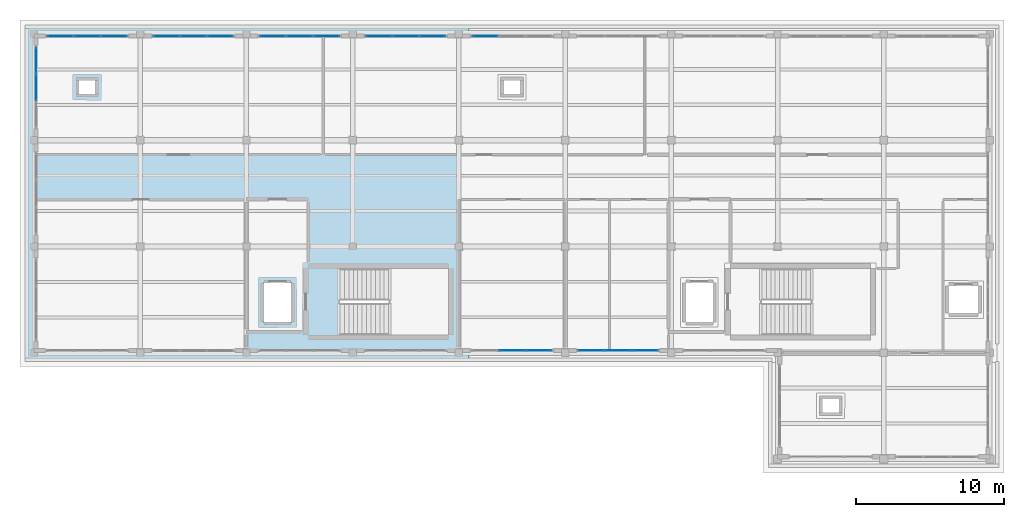
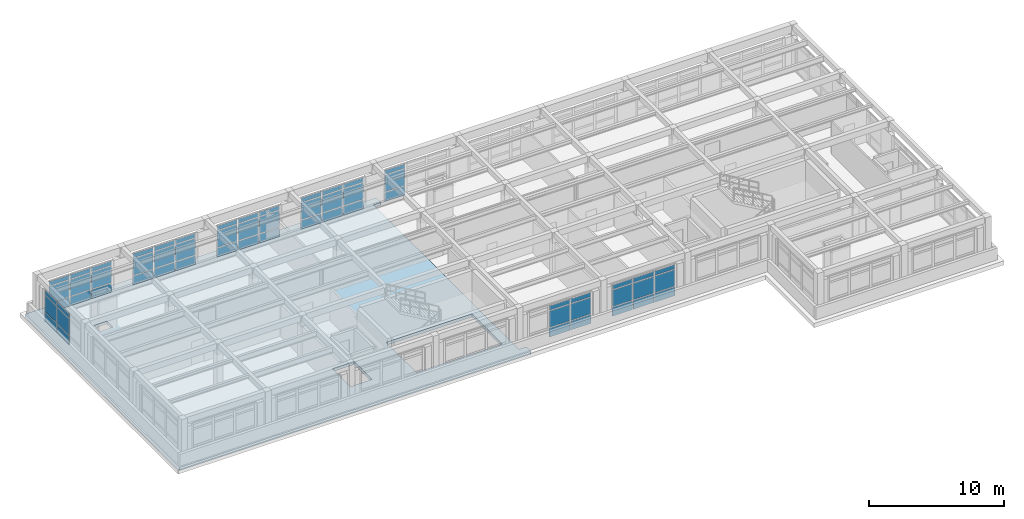
# One storey, part 12 of 20: 60 plates, 1 slab, 8 elements without a shape of their own.
"""IFC4 building model written with IfcOpenShell, lengths in metres."""

from ifc_helpers import new_model, si_unit, direction, frame, origin, origin_2d, place, context, subcontext, project, spatial, polyline, rectangle, outline, extrude, material, layer, layer_set, type_object, element, aggregate, save


model = new_model("IFC4")

# Units and contexts
model_context = context("Model", 3, precision=1e-05, world=origin(), true_north=direction((0.0, 1.0)))
body_context = subcontext(model_context, "Body", "Model", "MODEL_VIEW")
ifc_project = project(units=[si_unit("LENGTHUNIT", "METRE"), si_unit("AREAUNIT", "SQUARE_METRE"), si_unit("VOLUMEUNIT", "CUBIC_METRE"), si_unit("PLANEANGLEUNIT", "RADIAN"), si_unit("MASSUNIT", "GRAM", prefix="KILO")], contexts=[model_context])

# Site, building, storey
site_placement = place(None, origin())
site = spatial("IfcSite", under=ifc_project, at=site_placement, CompositionType="ELEMENT")
building_placement = place(site_placement, origin())
building = spatial("IfcBuilding", under=site, at=building_placement, Name="Solenvale Faculty of Natural Sciences", CompositionType="ELEMENT")
storey_placement = place(building_placement, frame((0.0, 0.0, 35.39990234375)))
storey = spatial("IfcBuildingStorey", under=building, at=storey_placement, Name="L08", CompositionType="ELEMENT", Elevation=35.39990234375)

# Curtain wall, plates
ifc_material_1 = material(Name="Anodised bronze aluminium", Category="aluminium")
ifc_layer_1 = layer(ifc_material_1, 0.179931640625)
ifc_layer_set_1 = layer_set([ifc_layer_1], Name="Anodised bronze aluminium")
curtain_wall_type = type_object("IfcCurtainWallType", Name="CW-TWR-MOD", PredefinedType="USERDEFINED", material=ifc_layer_set_1)
curtain_wall_1_placement = place(storey_placement, origin())
curtain_wall_1 = element("IfcCurtainWall", 1, at=curtain_wall_1_placement, inside=storey, type_object=curtain_wall_type, Name="L08 Curtain Wall CW-L08-P1-E2-B5", ObjectType="UNITISED CURTAIN WALL", PredefinedType="USERDEFINED")
ifc_material_2 = material(Name="North-light skylight glass", Category="glass")
ifc_layer_2 = layer(ifc_material_2, 0.028076171875)
ifc_layer_set_2 = layer_set([ifc_layer_2], Name="North-light skylight glass")
plate_type_1 = type_object("IfcPlateType", Name="CWP-PNL-28", PredefinedType="CURTAIN_PANEL", material=ifc_layer_set_2)
plate_1_placement = place(storey_placement, frame((116.9853515625, 115.0576171875, 0.074951171875), z_axis=(0.0, 0.0, 1.0), x_axis=(-1.0, 0.0, 0.0)))
plate_1 = element("IfcPlate", 2, at=plate_1_placement, type_object=plate_type_1, Name="CW-04 panel 3.1", PredefinedType="CURTAIN_PANEL", context=body_context, shape_type="SweptSolid", body=[
    extrude(rectangle(XDim=1.720947265625, YDim=0.028076171875, at=origin_2d()), origin(), (0.0, 0.0, 1.0), 0.78759765625),
])
plate_2_placement = place(storey_placement, frame((116.9853515625, 115.0576171875, 0.9375), z_axis=(0.0, 0.0, 1.0), x_axis=(-1.0, 0.0, 0.0)))
plate_2 = element("IfcPlate", 3, at=plate_2_placement, type_object=plate_type_1, Name="CW-04 panel 3.2", PredefinedType="CURTAIN_PANEL", context=body_context, shape_type="SweptSolid", body=[
    extrude(rectangle(XDim=1.720947265625, YDim=0.028076171875, at=origin_2d()), origin(), (0.0, 0.0, 1.0), 1.485107421875),
])
plate_3_placement = place(storey_placement, frame((116.9853515625, 115.0576171875, 2.49755859375), z_axis=(0.0, 0.0, 1.0), x_axis=(-1.0, 0.0, 0.0)))
plate_3 = element("IfcPlate", 4, at=plate_3_placement, type_object=plate_type_1, Name="CW-04 panel 3.3", PredefinedType="CURTAIN_PANEL", context=body_context, shape_type="SweptSolid", body=[
    extrude(rectangle(XDim=1.720947265625, YDim=0.028076171875, at=origin_2d()), origin(), (0.0, 0.0, 1.0), 0.387451171875),
])
aggregate(curtain_wall_1, [plate_1, plate_2, plate_3])

curtain_wall_2_placement = place(storey_placement, origin())
curtain_wall_2 = element("IfcCurtainWall", 5, at=curtain_wall_2_placement, inside=storey, type_object=curtain_wall_type, Name="L08 Curtain Wall CW-L08-P1-E2-B6", ObjectType="UNITISED CURTAIN WALL", PredefinedType="USERDEFINED")
ifc_material_3 = material(Name="Triple low-E insulated glass", Category="glass")
ifc_layer_3 = layer(ifc_material_3, 0.031982421875)
ifc_layer_set_3 = layer_set([ifc_layer_3], Name="Triple low-E insulated glass")
plate_type_2 = type_object("IfcPlateType", Name="CWP-PNL-32", PredefinedType="CURTAIN_PANEL", material=ifc_layer_set_3)
plate_4_placement = place(storey_placement, frame((113.41455078125, 115.0576171875, 0.074951171875), z_axis=(0.0, 0.0, 1.0), x_axis=(-1.0, 0.0, 0.0)))
plate_4 = element("IfcPlate", 6, at=plate_4_placement, type_object=plate_type_2, Name="CW-04 panel 1.1", PredefinedType="CURTAIN_PANEL", context=body_context, shape_type="SweptSolid", body=[
    extrude(rectangle(XDim=1.720947265625, YDim=0.031982421875, at=origin_2d()), origin(), (0.0, 0.0, 1.0), 0.78759765625),
])
plate_5_placement = place(storey_placement, frame((113.41455078125, 115.0576171875, 0.9375), z_axis=(0.0, 0.0, 1.0), x_axis=(-1.0, 0.0, 0.0)))
plate_5 = element("IfcPlate", 7, at=plate_5_placement, type_object=plate_type_2, Name="CW-04 panel 1.2", PredefinedType="CURTAIN_PANEL", context=body_context, shape_type="SweptSolid", body=[
    extrude(rectangle(XDim=1.720947265625, YDim=0.031982421875, at=origin_2d()), origin(), (0.0, 0.0, 1.0), 1.485107421875),
])
plate_6_placement = place(storey_placement, frame((113.41455078125, 115.0576171875, 2.49755859375), z_axis=(0.0, 0.0, 1.0), x_axis=(-1.0, 0.0, 0.0)))
plate_6 = element("IfcPlate", 8, at=plate_6_placement, type_object=plate_type_2, Name="CW-04 panel 1.3", PredefinedType="CURTAIN_PANEL", context=body_context, shape_type="SweptSolid", body=[
    extrude(rectangle(XDim=1.720947265625, YDim=0.031982421875, at=origin_2d()), origin(), (0.0, 0.0, 1.0), 0.387451171875),
])
plate_7_placement = place(storey_placement, frame((111.60009765625, 115.0576171875, 0.074951171875), z_axis=(0.0, 0.0, 1.0), x_axis=(-1.0, 0.0, 0.0)))
plate_7 = element("IfcPlate", 9, at=plate_7_placement, type_object=plate_type_2, Name="CW-04 panel 2.1", PredefinedType="CURTAIN_PANEL", context=body_context, shape_type="SweptSolid", body=[
    extrude(rectangle(XDim=1.75830078125, YDim=0.031982421875, at=origin_2d()), origin(), (0.0, 0.0, 1.0), 0.78759765625),
])
plate_8_placement = place(storey_placement, frame((111.60009765625, 115.0576171875, 0.9375), z_axis=(0.0, 0.0, 1.0), x_axis=(-1.0, 0.0, 0.0)))
plate_8 = element("IfcPlate", 10, at=plate_8_placement, type_object=plate_type_2, Name="CW-04 panel 2.2", PredefinedType="CURTAIN_PANEL", context=body_context, shape_type="SweptSolid", body=[
    extrude(rectangle(XDim=1.75830078125, YDim=0.031982421875, at=origin_2d()), origin(), (0.0, 0.0, 1.0), 1.485107421875),
])
plate_9_placement = place(storey_placement, frame((111.60009765625, 115.0576171875, 2.49755859375), z_axis=(0.0, 0.0, 1.0), x_axis=(-1.0, 0.0, 0.0)))
plate_9 = element("IfcPlate", 11, at=plate_9_placement, type_object=plate_type_2, Name="CW-04 panel 2.3", PredefinedType="CURTAIN_PANEL", context=body_context, shape_type="SweptSolid", body=[
    extrude(rectangle(XDim=1.75830078125, YDim=0.031982421875, at=origin_2d()), origin(), (0.0, 0.0, 1.0), 0.387451171875),
])
plate_10_placement = place(storey_placement, frame((109.785400390625, 115.0576171875, 0.074951171875), z_axis=(0.0, 0.0, 1.0), x_axis=(-1.0, 0.0, 0.0)))
plate_10 = element("IfcPlate", 12, at=plate_10_placement, type_object=plate_type_2, Name="CW-04 panel 3.1", PredefinedType="CURTAIN_PANEL", context=body_context, shape_type="SweptSolid", body=[
    extrude(rectangle(XDim=1.720947265625, YDim=0.031982421875, at=origin_2d()), origin(), (0.0, 0.0, 1.0), 0.78759765625),
])
plate_11_placement = place(storey_placement, frame((109.785400390625, 115.0576171875, 0.9375), z_axis=(0.0, 0.0, 1.0), x_axis=(-1.0, 0.0, 0.0)))
plate_11 = element("IfcPlate", 13, at=plate_11_placement, type_object=plate_type_2, Name="CW-04 panel 3.2", PredefinedType="CURTAIN_PANEL", context=body_context, shape_type="SweptSolid", body=[
    extrude(rectangle(XDim=1.720947265625, YDim=0.031982421875, at=origin_2d()), origin(), (0.0, 0.0, 1.0), 1.485107421875),
])
plate_12_placement = place(storey_placement, frame((109.785400390625, 115.0576171875, 2.49755859375), z_axis=(0.0, 0.0, 1.0), x_axis=(-1.0, 0.0, 0.0)))
plate_12 = element("IfcPlate", 14, at=plate_12_placement, type_object=plate_type_2, Name="CW-04 panel 3.3", PredefinedType="CURTAIN_PANEL", context=body_context, shape_type="SweptSolid", body=[
    extrude(rectangle(XDim=1.720947265625, YDim=0.031982421875, at=origin_2d()), origin(), (0.0, 0.0, 1.0), 0.387451171875),
])
aggregate(curtain_wall_2, [plate_4, plate_5, plate_6, plate_7, plate_8, plate_9, plate_10, plate_11, plate_12])

curtain_wall_3_placement = place(storey_placement, origin())
curtain_wall_3 = element("IfcCurtainWall", 15, at=curtain_wall_3_placement, inside=storey, type_object=curtain_wall_type, Name="L08 Curtain Wall CW-L08-P1-E2-B7", ObjectType="UNITISED CURTAIN WALL", PredefinedType="USERDEFINED")
ifc_layer_4 = layer(ifc_material_3, 0.035888671875)
ifc_layer_set_4 = layer_set([ifc_layer_4], Name="Triple low-E insulated glass")
plate_type_3 = type_object("IfcPlateType", Name="CWP-PNL-36", PredefinedType="CURTAIN_PANEL", material=ifc_layer_set_4)
plate_13_placement = place(storey_placement, frame((106.214599609375, 115.0576171875, 0.074951171875), z_axis=(0.0, 0.0, 1.0), x_axis=(-1.0, 0.0, 0.0)))
plate_13 = element("IfcPlate", 16, at=plate_13_placement, type_object=plate_type_3, Name="CW-04 panel 1.1", PredefinedType="CURTAIN_PANEL", context=body_context, shape_type="SweptSolid", body=[
    extrude(rectangle(XDim=1.720947265625, YDim=0.035888671875, at=origin_2d()), origin(), (0.0, 0.0, 1.0), 0.78759765625),
])
plate_14_placement = place(storey_placement, frame((106.214599609375, 115.0576171875, 0.9375), z_axis=(0.0, 0.0, 1.0), x_axis=(-1.0, 0.0, 0.0)))
plate_14 = element("IfcPlate", 17, at=plate_14_placement, type_object=plate_type_3, Name="CW-04 panel 1.2", PredefinedType="CURTAIN_PANEL", context=body_context, shape_type="SweptSolid", body=[
    extrude(rectangle(XDim=1.720947265625, YDim=0.035888671875, at=origin_2d()), origin(), (0.0, 0.0, 1.0), 1.485107421875),
])
plate_15_placement = place(storey_placement, frame((106.214599609375, 115.0576171875, 2.49755859375), z_axis=(0.0, 0.0, 1.0), x_axis=(-1.0, 0.0, 0.0)))
plate_15 = element("IfcPlate", 18, at=plate_15_placement, type_object=plate_type_3, Name="CW-04 panel 1.3", PredefinedType="CURTAIN_PANEL", context=body_context, shape_type="SweptSolid", body=[
    extrude(rectangle(XDim=1.720947265625, YDim=0.035888671875, at=origin_2d()), origin(), (0.0, 0.0, 1.0), 0.387451171875),
])
plate_16_placement = place(storey_placement, frame((104.39990234375, 115.0576171875, 0.074951171875), z_axis=(0.0, 0.0, 1.0), x_axis=(-1.0, 0.0, 0.0)))
plate_16 = element("IfcPlate", 19, at=plate_16_placement, type_object=plate_type_3, Name="CW-04 panel 2.1", PredefinedType="CURTAIN_PANEL", context=body_context, shape_type="SweptSolid", body=[
    extrude(rectangle(XDim=1.75830078125, YDim=0.035888671875, at=origin_2d()), origin(), (0.0, 0.0, 1.0), 0.78759765625),
])
plate_17_placement = place(storey_placement, frame((104.39990234375, 115.0576171875, 0.9375), z_axis=(0.0, 0.0, 1.0), x_axis=(-1.0, 0.0, 0.0)))
plate_17 = element("IfcPlate", 20, at=plate_17_placement, type_object=plate_type_3, Name="CW-04 panel 2.2", PredefinedType="CURTAIN_PANEL", context=body_context, shape_type="SweptSolid", body=[
    extrude(rectangle(XDim=1.75830078125, YDim=0.035888671875, at=origin_2d()), origin(), (0.0, 0.0, 1.0), 1.485107421875),
])
plate_18_placement = place(storey_placement, frame((104.39990234375, 115.0576171875, 2.49755859375), z_axis=(0.0, 0.0, 1.0), x_axis=(-1.0, 0.0, 0.0)))
plate_18 = element("IfcPlate", 21, at=plate_18_placement, type_object=plate_type_3, Name="CW-04 panel 2.3", PredefinedType="CURTAIN_PANEL", context=body_context, shape_type="SweptSolid", body=[
    extrude(rectangle(XDim=1.75830078125, YDim=0.035888671875, at=origin_2d()), origin(), (0.0, 0.0, 1.0), 0.387451171875),
])
plate_19_placement = place(storey_placement, frame((102.58544921875, 115.0576171875, 0.074951171875), z_axis=(0.0, 0.0, 1.0), x_axis=(-1.0, 0.0, 0.0)))
plate_19 = element("IfcPlate", 22, at=plate_19_placement, type_object=plate_type_3, Name="CW-04 panel 3.1", PredefinedType="CURTAIN_PANEL", context=body_context, shape_type="SweptSolid", body=[
    extrude(rectangle(XDim=1.720947265625, YDim=0.035888671875, at=origin_2d()), origin(), (0.0, 0.0, 1.0), 0.78759765625),
])
plate_20_placement = place(storey_placement, frame((102.58544921875, 115.0576171875, 0.9375), z_axis=(0.0, 0.0, 1.0), x_axis=(-1.0, 0.0, 0.0)))
plate_20 = element("IfcPlate", 23, at=plate_20_placement, type_object=plate_type_3, Name="CW-04 panel 3.2", PredefinedType="CURTAIN_PANEL", context=body_context, shape_type="SweptSolid", body=[
    extrude(rectangle(XDim=1.720947265625, YDim=0.035888671875, at=origin_2d()), origin(), (0.0, 0.0, 1.0), 1.485107421875),
])
plate_21_placement = place(storey_placement, frame((102.58544921875, 115.0576171875, 2.49755859375), z_axis=(0.0, 0.0, 1.0), x_axis=(-1.0, 0.0, 0.0)))
plate_21 = element("IfcPlate", 24, at=plate_21_placement, type_object=plate_type_3, Name="CW-04 panel 3.3", PredefinedType="CURTAIN_PANEL", context=body_context, shape_type="SweptSolid", body=[
    extrude(rectangle(XDim=1.720947265625, YDim=0.035888671875, at=origin_2d()), origin(), (0.0, 0.0, 1.0), 0.387451171875),
])
aggregate(curtain_wall_3, [plate_13, plate_14, plate_15, plate_16, plate_17, plate_18, plate_19, plate_20, plate_21])

curtain_wall_4_placement = place(storey_placement, origin())
curtain_wall_4 = element("IfcCurtainWall", 25, at=curtain_wall_4_placement, inside=storey, type_object=curtain_wall_type, Name="L08 Curtain Wall CW-L08-P1-E4-B5", ObjectType="UNITISED CURTAIN WALL", PredefinedType="USERDEFINED")
plate_22_placement = place(storey_placement, frame((118.800048828125, 93.742431640625, 0.074951171875), z_axis=(0.0, 0.0, 1.0), x_axis=(1.0, 0.0, 0.0)))
plate_22 = element("IfcPlate", 26, at=plate_22_placement, type_object=plate_type_3, Name="CW-04 panel 2.1", PredefinedType="CURTAIN_PANEL", context=body_context, shape_type="SweptSolid", body=[
    extrude(rectangle(XDim=1.75830078125, YDim=0.035888671875, at=origin_2d()), origin(), (0.0, 0.0, 1.0), 0.78759765625),
])
plate_23_placement = place(storey_placement, frame((118.800048828125, 93.742431640625, 0.9375), z_axis=(0.0, 0.0, 1.0), x_axis=(1.0, 0.0, 0.0)))
plate_23 = element("IfcPlate", 27, at=plate_23_placement, type_object=plate_type_3, Name="CW-04 panel 2.2", PredefinedType="CURTAIN_PANEL", context=body_context, shape_type="SweptSolid", body=[
    extrude(rectangle(XDim=1.75830078125, YDim=0.035888671875, at=origin_2d()), origin(), (0.0, 0.0, 1.0), 1.485107421875),
])
plate_24_placement = place(storey_placement, frame((118.800048828125, 93.742431640625, 2.49755859375), z_axis=(0.0, 0.0, 1.0), x_axis=(1.0, 0.0, 0.0)))
plate_24 = element("IfcPlate", 28, at=plate_24_placement, type_object=plate_type_3, Name="CW-04 panel 2.3", PredefinedType="CURTAIN_PANEL", context=body_context, shape_type="SweptSolid", body=[
    extrude(rectangle(XDim=1.75830078125, YDim=0.035888671875, at=origin_2d()), origin(), (0.0, 0.0, 1.0), 0.387451171875),
])
plate_25_placement = place(storey_placement, frame((120.614501953125, 93.742431640625, 0.074951171875), z_axis=(0.0, 0.0, 1.0), x_axis=(1.0, 0.0, 0.0)))
plate_25 = element("IfcPlate", 29, at=plate_25_placement, type_object=plate_type_3, Name="CW-04 panel 3.1", PredefinedType="CURTAIN_PANEL", context=body_context, shape_type="SweptSolid", body=[
    extrude(rectangle(XDim=1.720947265625, YDim=0.035888671875, at=origin_2d()), origin(), (0.0, 0.0, 1.0), 0.78759765625),
])
plate_26_placement = place(storey_placement, frame((120.614501953125, 93.742431640625, 0.9375), z_axis=(0.0, 0.0, 1.0), x_axis=(1.0, 0.0, 0.0)))
plate_26 = element("IfcPlate", 30, at=plate_26_placement, type_object=plate_type_3, Name="CW-04 panel 3.2", PredefinedType="CURTAIN_PANEL", context=body_context, shape_type="SweptSolid", body=[
    extrude(rectangle(XDim=1.720947265625, YDim=0.035888671875, at=origin_2d()), origin(), (0.0, 0.0, 1.0), 1.485107421875),
])
plate_27_placement = place(storey_placement, frame((120.614501953125, 93.742431640625, 2.49755859375), z_axis=(0.0, 0.0, 1.0), x_axis=(1.0, 0.0, 0.0)))
plate_27 = element("IfcPlate", 31, at=plate_27_placement, type_object=plate_type_3, Name="CW-04 panel 3.3", PredefinedType="CURTAIN_PANEL", context=body_context, shape_type="SweptSolid", body=[
    extrude(rectangle(XDim=1.720947265625, YDim=0.035888671875, at=origin_2d()), origin(), (0.0, 0.0, 1.0), 0.387451171875),
])
aggregate(curtain_wall_4, [plate_22, plate_23, plate_24, plate_25, plate_26, plate_27])

curtain_wall_5_placement = place(storey_placement, origin())
curtain_wall_5 = element("IfcCurtainWall", 32, at=curtain_wall_5_placement, inside=storey, type_object=curtain_wall_type, Name="L08 Curtain Wall CW-L08-P1-E2-B8", ObjectType="UNITISED CURTAIN WALL", PredefinedType="USERDEFINED")
ifc_layer_5 = layer(ifc_material_3, 0.0400390625)
ifc_layer_set_5 = layer_set([ifc_layer_5], Name="Triple low-E insulated glass")
plate_type_4 = type_object("IfcPlateType", Name="CWP-PNL-40", PredefinedType="CURTAIN_PANEL", material=ifc_layer_set_5)
plate_28_placement = place(storey_placement, frame((99.0146484375, 115.0576171875, 0.074951171875), z_axis=(0.0, 0.0, 1.0), x_axis=(-1.0, 0.0, 0.0)))
plate_28 = element("IfcPlate", 33, at=plate_28_placement, type_object=plate_type_4, Name="CW-04 panel 1.1", PredefinedType="CURTAIN_PANEL", context=body_context, shape_type="SweptSolid", body=[
    extrude(rectangle(XDim=1.720947265625, YDim=0.0400390625, at=origin_2d()), origin(), (0.0, 0.0, 1.0), 0.78759765625),
])
plate_29_placement = place(storey_placement, frame((99.0146484375, 115.0576171875, 0.9375), z_axis=(0.0, 0.0, 1.0), x_axis=(-1.0, 0.0, 0.0)))
plate_29 = element("IfcPlate", 34, at=plate_29_placement, type_object=plate_type_4, Name="CW-04 panel 1.2", PredefinedType="CURTAIN_PANEL", context=body_context, shape_type="SweptSolid", body=[
    extrude(rectangle(XDim=1.720947265625, YDim=0.0400390625, at=origin_2d()), origin(), (0.0, 0.0, 1.0), 1.485107421875),
])
plate_30_placement = place(storey_placement, frame((99.0146484375, 115.0576171875, 2.49755859375), z_axis=(0.0, 0.0, 1.0), x_axis=(-1.0, 0.0, 0.0)))
plate_30 = element("IfcPlate", 35, at=plate_30_placement, type_object=plate_type_4, Name="CW-04 panel 1.3", PredefinedType="CURTAIN_PANEL", context=body_context, shape_type="SweptSolid", body=[
    extrude(rectangle(XDim=1.720947265625, YDim=0.0400390625, at=origin_2d()), origin(), (0.0, 0.0, 1.0), 0.387451171875),
])
plate_31_placement = place(storey_placement, frame((97.199951171875, 115.0576171875, 0.074951171875), z_axis=(0.0, 0.0, 1.0), x_axis=(-1.0, 0.0, 0.0)))
plate_31 = element("IfcPlate", 36, at=plate_31_placement, type_object=plate_type_4, Name="CW-04 panel 2.1", PredefinedType="CURTAIN_PANEL", context=body_context, shape_type="SweptSolid", body=[
    extrude(rectangle(XDim=1.75830078125, YDim=0.0400390625, at=origin_2d()), origin(), (0.0, 0.0, 1.0), 0.78759765625),
])
plate_32_placement = place(storey_placement, frame((97.199951171875, 115.0576171875, 0.9375), z_axis=(0.0, 0.0, 1.0), x_axis=(-1.0, 0.0, 0.0)))
plate_32 = element("IfcPlate", 37, at=plate_32_placement, type_object=plate_type_4, Name="CW-04 panel 2.2", PredefinedType="CURTAIN_PANEL", context=body_context, shape_type="SweptSolid", body=[
    extrude(rectangle(XDim=1.75830078125, YDim=0.0400390625, at=origin_2d()), origin(), (0.0, 0.0, 1.0), 1.485107421875),
])
plate_33_placement = place(storey_placement, frame((97.199951171875, 115.0576171875, 2.49755859375), z_axis=(0.0, 0.0, 1.0), x_axis=(-1.0, 0.0, 0.0)))
plate_33 = element("IfcPlate", 38, at=plate_33_placement, type_object=plate_type_4, Name="CW-04 panel 2.3", PredefinedType="CURTAIN_PANEL", context=body_context, shape_type="SweptSolid", body=[
    extrude(rectangle(XDim=1.75830078125, YDim=0.0400390625, at=origin_2d()), origin(), (0.0, 0.0, 1.0), 0.387451171875),
])
plate_34_placement = place(storey_placement, frame((95.385498046875, 115.0576171875, 0.074951171875), z_axis=(0.0, 0.0, 1.0), x_axis=(-1.0, 0.0, 0.0)))
plate_34 = element("IfcPlate", 39, at=plate_34_placement, type_object=plate_type_4, Name="CW-04 panel 3.1", PredefinedType="CURTAIN_PANEL", context=body_context, shape_type="SweptSolid", body=[
    extrude(rectangle(XDim=1.720947265625, YDim=0.0400390625, at=origin_2d()), origin(), (0.0, 0.0, 1.0), 0.78759765625),
])
plate_35_placement = place(storey_placement, frame((95.385498046875, 115.0576171875, 0.9375), z_axis=(0.0, 0.0, 1.0), x_axis=(-1.0, 0.0, 0.0)))
plate_35 = element("IfcPlate", 40, at=plate_35_placement, type_object=plate_type_4, Name="CW-04 panel 3.2", PredefinedType="CURTAIN_PANEL", context=body_context, shape_type="SweptSolid", body=[
    extrude(rectangle(XDim=1.720947265625, YDim=0.0400390625, at=origin_2d()), origin(), (0.0, 0.0, 1.0), 1.485107421875),
])
plate_36_placement = place(storey_placement, frame((95.385498046875, 115.0576171875, 2.49755859375), z_axis=(0.0, 0.0, 1.0), x_axis=(-1.0, 0.0, 0.0)))
plate_36 = element("IfcPlate", 41, at=plate_36_placement, type_object=plate_type_4, Name="CW-04 panel 3.3", PredefinedType="CURTAIN_PANEL", context=body_context, shape_type="SweptSolid", body=[
    extrude(rectangle(XDim=1.720947265625, YDim=0.0400390625, at=origin_2d()), origin(), (0.0, 0.0, 1.0), 0.387451171875),
])
aggregate(curtain_wall_5, [plate_28, plate_29, plate_30, plate_31, plate_32, plate_33, plate_34, plate_35, plate_36])

curtain_wall_6_placement = place(storey_placement, origin())
curtain_wall_6 = element("IfcCurtainWall", 42, at=curtain_wall_6_placement, inside=storey, type_object=curtain_wall_type, Name="L08 Curtain Wall CW-L08-P1-E4-B6", ObjectType="UNITISED CURTAIN WALL", PredefinedType="USERDEFINED")
plate_37_placement = place(storey_placement, frame((124.185302734375, 93.742431640625, 0.074951171875), z_axis=(0.0, 0.0, 1.0), x_axis=(1.0, 0.0, 0.0)))
plate_37 = element("IfcPlate", 43, at=plate_37_placement, type_object=plate_type_4, Name="CW-04 panel 1.1", PredefinedType="CURTAIN_PANEL", context=body_context, shape_type="SweptSolid", body=[
    extrude(rectangle(XDim=1.720947265625, YDim=0.0400390625, at=origin_2d()), origin(), (0.0, 0.0, 1.0), 0.78759765625),
])
plate_38_placement = place(storey_placement, frame((124.185302734375, 93.742431640625, 0.9375), z_axis=(0.0, 0.0, 1.0), x_axis=(1.0, 0.0, 0.0)))
plate_38 = element("IfcPlate", 44, at=plate_38_placement, type_object=plate_type_4, Name="CW-04 panel 1.2", PredefinedType="CURTAIN_PANEL", context=body_context, shape_type="SweptSolid", body=[
    extrude(rectangle(XDim=1.720947265625, YDim=0.0400390625, at=origin_2d()), origin(), (0.0, 0.0, 1.0), 1.485107421875),
])
plate_39_placement = place(storey_placement, frame((124.185302734375, 93.742431640625, 2.49755859375), z_axis=(0.0, 0.0, 1.0), x_axis=(1.0, 0.0, 0.0)))
plate_39 = element("IfcPlate", 45, at=plate_39_placement, type_object=plate_type_4, Name="CW-04 panel 1.3", PredefinedType="CURTAIN_PANEL", context=body_context, shape_type="SweptSolid", body=[
    extrude(rectangle(XDim=1.720947265625, YDim=0.0400390625, at=origin_2d()), origin(), (0.0, 0.0, 1.0), 0.387451171875),
])
plate_40_placement = place(storey_placement, frame((126.0, 93.742431640625, 0.074951171875), z_axis=(0.0, 0.0, 1.0), x_axis=(1.0, 0.0, 0.0)))
plate_40 = element("IfcPlate", 46, at=plate_40_placement, type_object=plate_type_4, Name="CW-04 panel 2.1", PredefinedType="CURTAIN_PANEL", context=body_context, shape_type="SweptSolid", body=[
    extrude(rectangle(XDim=1.75830078125, YDim=0.0400390625, at=origin_2d()), origin(), (0.0, 0.0, 1.0), 0.78759765625),
])
plate_41_placement = place(storey_placement, frame((126.0, 93.742431640625, 0.9375), z_axis=(0.0, 0.0, 1.0), x_axis=(1.0, 0.0, 0.0)))
plate_41 = element("IfcPlate", 47, at=plate_41_placement, type_object=plate_type_4, Name="CW-04 panel 2.2", PredefinedType="CURTAIN_PANEL", context=body_context, shape_type="SweptSolid", body=[
    extrude(rectangle(XDim=1.75830078125, YDim=0.0400390625, at=origin_2d()), origin(), (0.0, 0.0, 1.0), 1.485107421875),
])
plate_42_placement = place(storey_placement, frame((126.0, 93.742431640625, 2.49755859375), z_axis=(0.0, 0.0, 1.0), x_axis=(1.0, 0.0, 0.0)))
plate_42 = element("IfcPlate", 48, at=plate_42_placement, type_object=plate_type_4, Name="CW-04 panel 2.3", PredefinedType="CURTAIN_PANEL", context=body_context, shape_type="SweptSolid", body=[
    extrude(rectangle(XDim=1.75830078125, YDim=0.0400390625, at=origin_2d()), origin(), (0.0, 0.0, 1.0), 0.387451171875),
])
plate_43_placement = place(storey_placement, frame((127.814697265625, 93.742431640625, 0.074951171875), z_axis=(0.0, 0.0, 1.0), x_axis=(1.0, 0.0, 0.0)))
plate_43 = element("IfcPlate", 49, at=plate_43_placement, type_object=plate_type_4, Name="CW-04 panel 3.1", PredefinedType="CURTAIN_PANEL", context=body_context, shape_type="SweptSolid", body=[
    extrude(rectangle(XDim=1.720947265625, YDim=0.0400390625, at=origin_2d()), origin(), (0.0, 0.0, 1.0), 0.78759765625),
])
plate_44_placement = place(storey_placement, frame((127.814697265625, 93.742431640625, 0.9375), z_axis=(0.0, 0.0, 1.0), x_axis=(1.0, 0.0, 0.0)))
plate_44 = element("IfcPlate", 50, at=plate_44_placement, type_object=plate_type_4, Name="CW-04 panel 3.2", PredefinedType="CURTAIN_PANEL", context=body_context, shape_type="SweptSolid", body=[
    extrude(rectangle(XDim=1.720947265625, YDim=0.0400390625, at=origin_2d()), origin(), (0.0, 0.0, 1.0), 1.485107421875),
])
plate_45_placement = place(storey_placement, frame((127.814697265625, 93.742431640625, 2.49755859375), z_axis=(0.0, 0.0, 1.0), x_axis=(1.0, 0.0, 0.0)))
plate_45 = element("IfcPlate", 51, at=plate_45_placement, type_object=plate_type_4, Name="CW-04 panel 3.3", PredefinedType="CURTAIN_PANEL", context=body_context, shape_type="SweptSolid", body=[
    extrude(rectangle(XDim=1.720947265625, YDim=0.0400390625, at=origin_2d()), origin(), (0.0, 0.0, 1.0), 0.387451171875),
])
aggregate(curtain_wall_6, [plate_37, plate_38, plate_39, plate_40, plate_41, plate_42, plate_43, plate_44, plate_45])

curtain_wall_7_placement = place(storey_placement, origin())
curtain_wall_7 = element("IfcCurtainWall", 52, at=curtain_wall_7_placement, inside=storey, type_object=curtain_wall_type, Name="L08 Curtain Wall CW-L08-P1-E2-B9", ObjectType="UNITISED CURTAIN WALL", PredefinedType="USERDEFINED")
ifc_layer_6 = layer(ifc_material_3, 0.0439453125)
ifc_layer_set_6 = layer_set([ifc_layer_6], Name="Triple low-E insulated glass")
plate_type_5 = type_object("IfcPlateType", Name="CWP-PNL-44", PredefinedType="CURTAIN_PANEL", material=ifc_layer_set_6)
plate_46_placement = place(storey_placement, frame((91.814697265625, 115.0576171875, 0.074951171875), z_axis=(0.0, 0.0, 1.0), x_axis=(-1.0, 0.0, 0.0)))
plate_46 = element("IfcPlate", 53, at=plate_46_placement, type_object=plate_type_5, Name="CW-04 panel 1.1", PredefinedType="CURTAIN_PANEL", context=body_context, shape_type="SweptSolid", body=[
    extrude(rectangle(XDim=1.720947265625, YDim=0.0439453125, at=origin_2d()), origin(), (0.0, 0.0, 1.0), 0.78759765625),
])
plate_47_placement = place(storey_placement, frame((91.814697265625, 115.0576171875, 0.9375), z_axis=(0.0, 0.0, 1.0), x_axis=(-1.0, 0.0, 0.0)))
plate_47 = element("IfcPlate", 54, at=plate_47_placement, type_object=plate_type_5, Name="CW-04 panel 1.2", PredefinedType="CURTAIN_PANEL", context=body_context, shape_type="SweptSolid", body=[
    extrude(rectangle(XDim=1.720947265625, YDim=0.0439453125, at=origin_2d()), origin(), (0.0, 0.0, 1.0), 1.485107421875),
])
plate_48_placement = place(storey_placement, frame((91.814697265625, 115.0576171875, 2.49755859375), z_axis=(0.0, 0.0, 1.0), x_axis=(-1.0, 0.0, 0.0)))
plate_48 = element("IfcPlate", 55, at=plate_48_placement, type_object=plate_type_5, Name="CW-04 panel 1.3", PredefinedType="CURTAIN_PANEL", context=body_context, shape_type="SweptSolid", body=[
    extrude(rectangle(XDim=1.720947265625, YDim=0.0439453125, at=origin_2d()), origin(), (0.0, 0.0, 1.0), 0.387451171875),
])
plate_49_placement = place(storey_placement, frame((90.0, 115.0576171875, 0.074951171875), z_axis=(0.0, 0.0, 1.0), x_axis=(-1.0, 0.0, 0.0)))
plate_49 = element("IfcPlate", 56, at=plate_49_placement, type_object=plate_type_5, Name="CW-04 panel 2.1", PredefinedType="CURTAIN_PANEL", context=body_context, shape_type="SweptSolid", body=[
    extrude(rectangle(XDim=1.75830078125, YDim=0.0439453125, at=origin_2d()), origin(), (0.0, 0.0, 1.0), 0.78759765625),
])
plate_50_placement = place(storey_placement, frame((90.0, 115.0576171875, 0.9375), z_axis=(0.0, 0.0, 1.0), x_axis=(-1.0, 0.0, 0.0)))
plate_50 = element("IfcPlate", 57, at=plate_50_placement, type_object=plate_type_5, Name="CW-04 panel 2.2", PredefinedType="CURTAIN_PANEL", context=body_context, shape_type="SweptSolid", body=[
    extrude(rectangle(XDim=1.75830078125, YDim=0.0439453125, at=origin_2d()), origin(), (0.0, 0.0, 1.0), 1.485107421875),
])
plate_51_placement = place(storey_placement, frame((90.0, 115.0576171875, 2.49755859375), z_axis=(0.0, 0.0, 1.0), x_axis=(-1.0, 0.0, 0.0)))
plate_51 = element("IfcPlate", 58, at=plate_51_placement, type_object=plate_type_5, Name="CW-04 panel 2.3", PredefinedType="CURTAIN_PANEL", context=body_context, shape_type="SweptSolid", body=[
    extrude(rectangle(XDim=1.75830078125, YDim=0.0439453125, at=origin_2d()), origin(), (0.0, 0.0, 1.0), 0.387451171875),
])
plate_52_placement = place(storey_placement, frame((88.185302734375, 115.0576171875, 0.074951171875), z_axis=(0.0, 0.0, 1.0), x_axis=(-1.0, 0.0, 0.0)))
plate_52 = element("IfcPlate", 59, at=plate_52_placement, type_object=plate_type_5, Name="CW-04 panel 3.1", PredefinedType="CURTAIN_PANEL", context=body_context, shape_type="SweptSolid", body=[
    extrude(rectangle(XDim=1.720947265625, YDim=0.0439453125, at=origin_2d()), origin(), (0.0, 0.0, 1.0), 0.78759765625),
])
plate_53_placement = place(storey_placement, frame((88.185302734375, 115.0576171875, 0.9375), z_axis=(0.0, 0.0, 1.0), x_axis=(-1.0, 0.0, 0.0)))
plate_53 = element("IfcPlate", 60, at=plate_53_placement, type_object=plate_type_5, Name="CW-04 panel 3.2", PredefinedType="CURTAIN_PANEL", context=body_context, shape_type="SweptSolid", body=[
    extrude(rectangle(XDim=1.720947265625, YDim=0.0439453125, at=origin_2d()), origin(), (0.0, 0.0, 1.0), 1.485107421875),
])
plate_54_placement = place(storey_placement, frame((88.185302734375, 115.0576171875, 2.49755859375), z_axis=(0.0, 0.0, 1.0), x_axis=(-1.0, 0.0, 0.0)))
plate_54 = element("IfcPlate", 61, at=plate_54_placement, type_object=plate_type_5, Name="CW-04 panel 3.3", PredefinedType="CURTAIN_PANEL", context=body_context, shape_type="SweptSolid", body=[
    extrude(rectangle(XDim=1.720947265625, YDim=0.0439453125, at=origin_2d()), origin(), (0.0, 0.0, 1.0), 0.387451171875),
])
aggregate(curtain_wall_7, [plate_46, plate_47, plate_48, plate_49, plate_50, plate_51, plate_52, plate_53, plate_54])

curtain_wall_8_placement = place(storey_placement, origin())
curtain_wall_8 = element("IfcCurtainWall", 62, at=curtain_wall_8_placement, inside=storey, type_object=curtain_wall_type, Name="L08 Curtain Wall CW-L08-P1-E3-B1", ObjectType="UNITISED CURTAIN WALL", PredefinedType="USERDEFINED")
ifc_layer_7 = layer(ifc_material_1, 0.048095703125)
ifc_layer_set_7 = layer_set([ifc_layer_7], Name="Anodised bronze aluminium")
plate_type_6 = type_object("IfcPlateType", Name="CWP-PNL-48", PredefinedType="CURTAIN_PANEL", material=ifc_layer_set_7)
plate_55_placement = place(storey_placement, frame((86.54248046875, 113.41455078125, 0.074951171875), z_axis=(0.0, 0.0, 1.0), x_axis=(0.0, -1.0, 0.0)))
plate_55 = element("IfcPlate", 63, at=plate_55_placement, type_object=plate_type_6, Name="CW-04 panel 1.1", PredefinedType="CURTAIN_PANEL", context=body_context, shape_type="SweptSolid", body=[
    extrude(rectangle(XDim=1.720947265625, YDim=0.048095703125, at=origin_2d()), origin(), (0.0, 0.0, 1.0), 0.78759765625),
])
plate_56_placement = place(storey_placement, frame((86.54248046875, 113.41455078125, 0.9375), z_axis=(0.0, 0.0, 1.0), x_axis=(0.0, -1.0, 0.0)))
plate_56 = element("IfcPlate", 64, at=plate_56_placement, type_object=plate_type_6, Name="CW-04 panel 1.2", PredefinedType="CURTAIN_PANEL", context=body_context, shape_type="SweptSolid", body=[
    extrude(rectangle(XDim=1.720947265625, YDim=0.048095703125, at=origin_2d()), origin(), (0.0, 0.0, 1.0), 1.485107421875),
])
plate_57_placement = place(storey_placement, frame((86.54248046875, 113.41455078125, 2.49755859375), z_axis=(0.0, 0.0, 1.0), x_axis=(0.0, -1.0, 0.0)))
plate_57 = element("IfcPlate", 65, at=plate_57_placement, type_object=plate_type_6, Name="CW-04 panel 1.3", PredefinedType="CURTAIN_PANEL", context=body_context, shape_type="SweptSolid", body=[
    extrude(rectangle(XDim=1.720947265625, YDim=0.048095703125, at=origin_2d()), origin(), (0.0, 0.0, 1.0), 0.387451171875),
])
plate_58_placement = place(storey_placement, frame((86.54248046875, 111.60009765625, 0.074951171875), z_axis=(0.0, 0.0, 1.0), x_axis=(0.0, -1.0, 0.0)))
plate_58 = element("IfcPlate", 66, at=plate_58_placement, type_object=plate_type_6, Name="CW-04 panel 2.1", PredefinedType="CURTAIN_PANEL", context=body_context, shape_type="SweptSolid", body=[
    extrude(rectangle(XDim=1.75830078125, YDim=0.048095703125, at=origin_2d()), origin(), (0.0, 0.0, 1.0), 0.78759765625),
])
plate_59_placement = place(storey_placement, frame((86.54248046875, 111.60009765625, 0.9375), z_axis=(0.0, 0.0, 1.0), x_axis=(0.0, -1.0, 0.0)))
plate_59 = element("IfcPlate", 67, at=plate_59_placement, type_object=plate_type_6, Name="CW-04 panel 2.2", PredefinedType="CURTAIN_PANEL", context=body_context, shape_type="SweptSolid", body=[
    extrude(rectangle(XDim=1.75830078125, YDim=0.048095703125, at=origin_2d()), origin(), (0.0, 0.0, 1.0), 1.485107421875),
])
plate_60_placement = place(storey_placement, frame((86.54248046875, 111.60009765625, 2.49755859375), z_axis=(0.0, 0.0, 1.0), x_axis=(0.0, -1.0, 0.0)))
plate_60 = element("IfcPlate", 68, at=plate_60_placement, type_object=plate_type_6, Name="CW-04 panel 2.3", PredefinedType="CURTAIN_PANEL", context=body_context, shape_type="SweptSolid", body=[
    extrude(rectangle(XDim=1.75830078125, YDim=0.048095703125, at=origin_2d()), origin(), (0.0, 0.0, 1.0), 0.387451171875),
])
aggregate(curtain_wall_8, [plate_55, plate_56, plate_57, plate_58, plate_59, plate_60])

# Slab
ifc_material_4 = material(Name="Concrete 40 MPa", Category="concrete")
ifc_layer_8 = layer(ifc_material_4, 0.280029296875)
ifc_layer_set_8 = layer_set([ifc_layer_8], Name="Concrete 40 MPa")
slab_type = type_object("IfcSlabType", Name="SL-FLR-280", PredefinedType="FLOOR", material=ifc_layer_set_8)
slab_placement = place(storey_placement, frame((0.0, 0.0, -0.27978515625)))
element("IfcSlab", 69, at=slab_placement, inside=storey, type_object=slab_type, Name="L08 V5 Floor Slab 1.1", PredefinedType="FLOOR", context=body_context, shape_type="SweptSolid", body=[
    extrude(outline(polyline([(115.24658203125, 115.2197265625), (115.22998046875, 115.19970703125), (115.22998046875, 93.599609375), (115.2353515625, 93.586181640625), (115.249755859375, 93.580078125), (115.85498046875, 93.580078125), (115.872802734375, 93.57275390625), (115.8798828125, 93.554931640625), (115.8798828125, 92.945068359375), (115.870849609375, 92.92578125), (115.85498046875, 92.919921875), (85.7451171875, 92.919921875), (85.7255859375, 92.92919921875), (85.719970703125, 92.945068359375), (85.719970703125, 115.85498046875), (85.72900390625, 115.874267578125), (85.7451171875, 115.8798828125), (115.85498046875, 115.8798828125), (115.872802734375, 115.872802734375), (115.8798828125, 115.85498046875), (115.8798828125, 115.2451171875), (115.872802734375, 115.227294921875), (115.85498046875, 115.219970703125), (115.24658203125, 115.2197265625)]), holes=[polyline([(107.139892578125, 94.800048828125), (114.5, 94.800048828125), (114.5, 99.300048828125), (107.139892578125, 99.300048828125), (107.139892578125, 94.800048828125)]), polyline([(101.9599609375, 95.66064453125), (103.840087890625, 95.659912109375), (103.840087890625, 98.340087890625), (101.9599609375, 98.340087890625), (101.9599609375, 95.66064453125)]), polyline([(89.449951171875, 111.14990234375), (90.550048828125, 111.14990234375), (90.550048828125, 112.050048828125), (89.449951171875, 112.050048828125), (89.449951171875, 111.14990234375)])]), origin(), (0.0, 0.0, 1.0), 0.27978515625),
])

save(model, "model.ifc")
